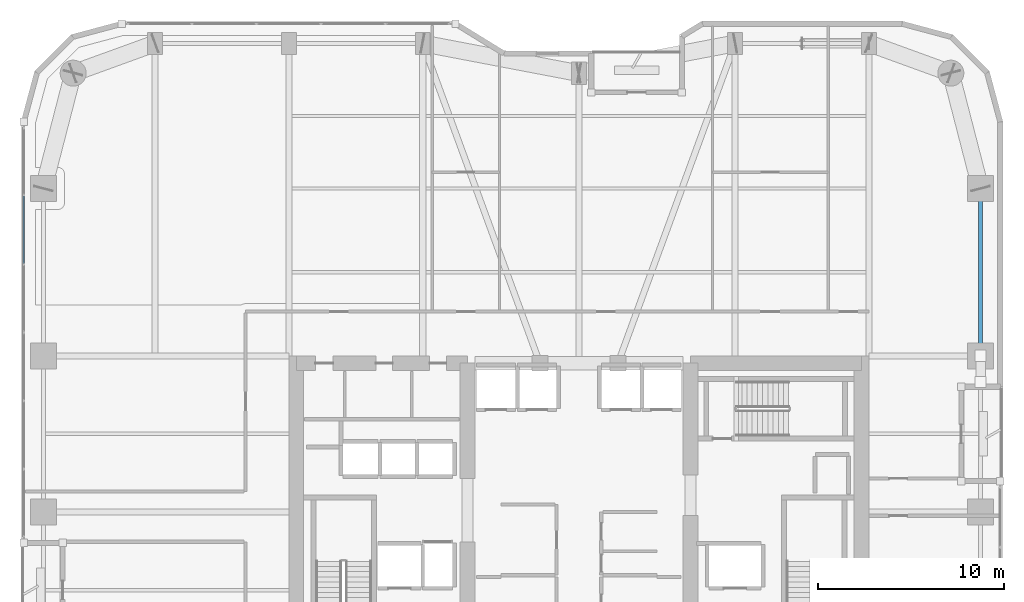
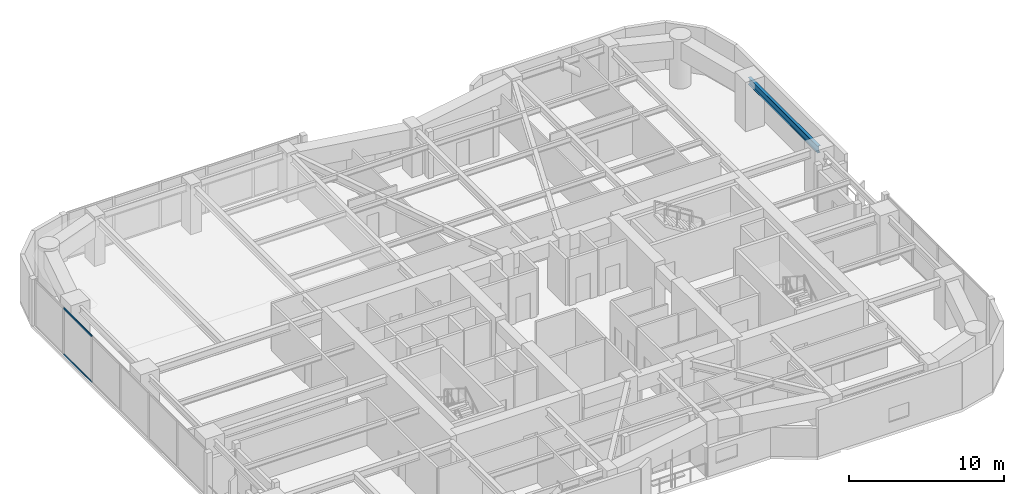
# One storey, part 12 of 30: 2 members, 1 beam, 1 element without a shape of its own.
"""IFC4 building model written with IfcOpenShell, lengths in metres."""

from ifc_helpers import new_model, si_unit, direction, frame, origin, origin_2d, place, context, subcontext, project, spatial, hollow_rectangle, i_section, extrude, material, layer, layer_set, material_profile, profile_set, type_object, element, aggregate, save


model = new_model("IFC4")

# Units and contexts
model_context = context("Model", 3, precision=1e-05, world=origin(), true_north=direction((0.0, 1.0)))
body_context = subcontext(model_context, "Body", "Model", "MODEL_VIEW")
ifc_project = project(units=[si_unit("LENGTHUNIT", "METRE"), si_unit("AREAUNIT", "SQUARE_METRE"), si_unit("VOLUMEUNIT", "CUBIC_METRE"), si_unit("PLANEANGLEUNIT", "RADIAN"), si_unit("MASSUNIT", "GRAM", prefix="KILO")], contexts=[model_context])

# Site, building, storey
site_placement = place(None, origin())
site = spatial("IfcSite", under=ifc_project, at=site_placement, CompositionType="ELEMENT")
building_placement = place(site_placement, origin())
building = spatial("IfcBuilding", under=site, at=building_placement, Name="Kiyonajd Concourse Tower", CompositionType="ELEMENT")
storey_placement = place(building_placement, frame((0.0, 0.0, 154.5)))
storey = spatial("IfcBuildingStorey", under=building, at=storey_placement, Name="L39", CompositionType="ELEMENT", Elevation=154.5)

# Beam
ifc_material_1 = material(Name="Steel ASTM A992 Grade 50", Category="steel")
ifc_material_profile_1 = material_profile(ifc_material_1, i_section(OverallWidth=0.214111328125, OverallDepth=0.549072265625, WebThickness=0.0146484375, FlangeThickness=0.023681640625, at=origin_2d()), Name="W530X138")
ifc_profile_set_1 = profile_set([ifc_material_profile_1], Name="Steel ASTM A992 Grade 50")
beam_type = type_object("IfcBeamType", Name="BM-SPAN-530A", PredefinedType="SPANDREL", material=ifc_profile_set_1)
beam_placement = place(storey_placement, frame((69.60009765625, 44.39990234375, 3.405517578125), z_axis=(0.0, 1.0, 0.0), x_axis=(-1.0, 0.0, 0.0)))
element("IfcBeam", 1, at=beam_placement, inside=storey, type_object=beam_type, Name="L39 Perimeter Bundled Tube Spandrel", PredefinedType="SPANDREL", context=body_context, shape_type="SweptSolid", body=[
    extrude(i_section(OverallWidth=0.214111328125, OverallDepth=0.549072265625, WebThickness=0.0146484375, FlangeThickness=0.023681640625, at=origin_2d()), origin(), (0.0, 0.0, 1.0), 9.0),
])

# Curtain wall, members
ifc_material_2 = material(Name="Thermally Broken Anodised Aluminium", Category="aluminium")
ifc_layer = layer(ifc_material_2, 0.179931640625)
ifc_layer_set = layer_set([ifc_layer], Name="Thermally Broken Anodised Aluminium")
curtain_wall_type = type_object("IfcCurtainWallType", Name="CW-SYS-03", PredefinedType="NOTDEFINED", material=ifc_layer_set)
curtain_wall_placement = place(storey_placement, origin())
curtain_wall = element("IfcCurtainWall", 2, at=curtain_wall_placement, inside=storey, type_object=curtain_wall_type, Name="L39 Unitised Curtain Wall CW3", PredefinedType="NOTDEFINED")
ifc_material_profile_2 = material_profile(ifc_material_2, hollow_rectangle(XDim=0.06494140625, YDim=0.139892578125, WallThickness=0.00390625, at=origin_2d()), Name="TRAN-65x140")
ifc_profile_set_2 = profile_set([ifc_material_profile_2], Name="Thermally Broken Anodised Aluminium")
member_type = type_object("IfcMemberType", Name="MB-CW-TRAN1", PredefinedType="USERDEFINED", material=ifc_profile_set_2)
member_1_placement = place(storey_placement, frame((18.139892578125, 49.3701171875, 0.032470703125), z_axis=(0.0, 1.0, 0.0), x_axis=(-1.0, 0.0, 0.0)))
member_1 = element("IfcMember", 3, at=member_1_placement, type_object=member_type, Name="CW3 transom 5.1", ObjectType="TRANSOM", PredefinedType="USERDEFINED", context=body_context, shape_type="SweptSolid", body=[
    extrude(hollow_rectangle(XDim=0.06494140625, YDim=0.139892578125, WallThickness=0.00390625, at=origin_2d()), origin(), (0.0, 0.0, 1.0), 3.612060546875),
])
member_2_placement = place(storey_placement, frame((18.139892578125, 49.3701171875, 3.6474609375), z_axis=(0.0, 1.0, 0.0), x_axis=(-1.0, 0.0, 0.0)))
member_2 = element("IfcMember", 4, at=member_2_placement, type_object=member_type, Name="CW3 transom 5.2", ObjectType="TRANSOM", PredefinedType="USERDEFINED", context=body_context, shape_type="SweptSolid", body=[
    extrude(hollow_rectangle(XDim=0.06494140625, YDim=0.139892578125, WallThickness=0.00390625, at=origin_2d()), origin(), (0.0, 0.0, 1.0), 3.612060546875),
])
aggregate(curtain_wall, [member_1, member_2])

save(model, "model.ifc")
